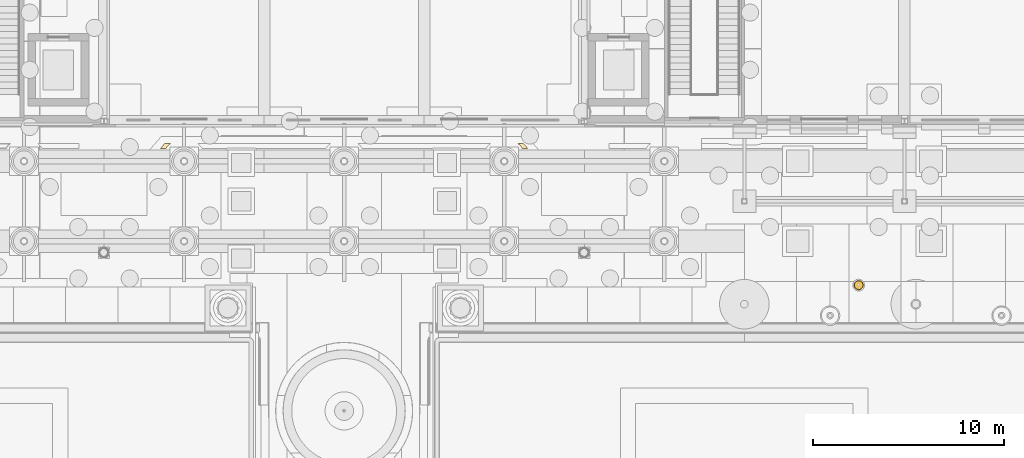
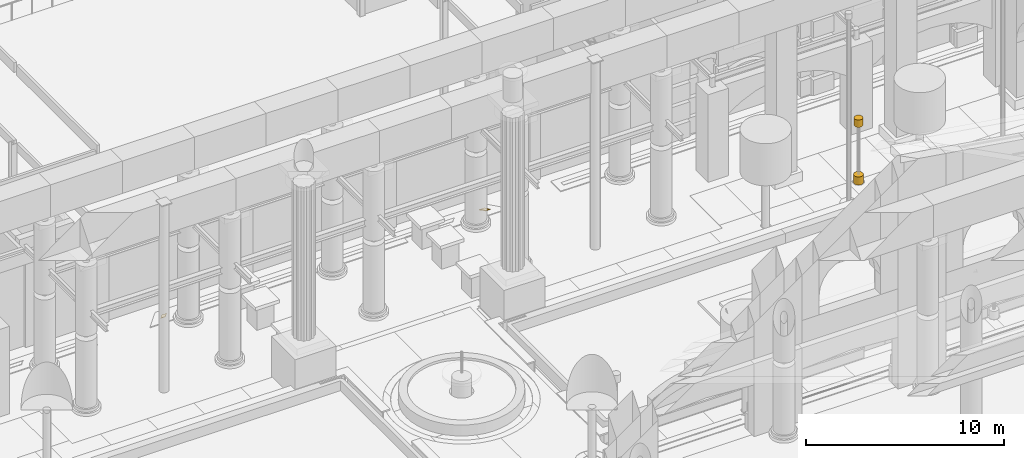
# One storey, part 207 of 222: 4 coverings.
"""IFC4 building model written with IfcOpenShell, lengths in metres."""

from ifc_helpers import new_model, si_unit, direction, frame, origin, origin_2d, place, context, subcontext, project, spatial, polyline, circle, outline, extrude, material, layer, layer_set, type_object, element, save


model = new_model("IFC4")

# Units and contexts
model_context = context("Model", 3, precision=1e-05, world=origin(), true_north=direction((0.0, 1.0)))
body_context = subcontext(model_context, "Body", "Model", "MODEL_VIEW")
ifc_project = project(units=[si_unit("LENGTHUNIT", "METRE"), si_unit("AREAUNIT", "SQUARE_METRE"), si_unit("VOLUMEUNIT", "CUBIC_METRE"), si_unit("PLANEANGLEUNIT", "RADIAN"), si_unit("MASSUNIT", "GRAM", prefix="KILO")], contexts=[model_context])

# Site, building, storey
site_placement = place(None, origin())
site = spatial("IfcSite", under=ifc_project, at=site_placement, CompositionType="ELEMENT")
building_placement = place(site_placement, origin())
building = spatial("IfcBuilding", under=site, at=building_placement, Name="Sava Quay Ferry Terminal", CompositionType="ELEMENT")
storey_placement = place(building_placement, origin())
storey = spatial("IfcBuildingStorey", under=building, at=storey_placement, Name="L00", CompositionType="ELEMENT", Elevation=0.0)

# Coverings
ifc_material_1 = material(Name="Basalt setts", Category="masonry")
ifc_layer_1 = layer(ifc_material_1, 0.02001953125)
ifc_layer_set_1 = layer_set([ifc_layer_1], Name="Basalt setts")
covering_type_1 = type_object("IfcCoveringType", Name="Basalt inlay line 20", PredefinedType="FLOORING", material=ifc_layer_set_1)
covering_1_placement = place(storey_placement, frame((0.0, 0.0, 0.050048828125)))
element("IfcCovering", 1, at=covering_1_placement, inside=storey, type_object=covering_type_1, Name="Basalt inlay line", PredefinedType="FLOORING", context=body_context, shape_type="SweptSolid", body=[
    extrude(outline(polyline([(53.803955078125, 23.962890625), (53.833984375, 23.988037109375), (53.8798828125, 24.02001953125), (53.576904296875, 24.02001953125), (53.366943359375, 23.780029296875), (53.656005859375, 23.780029296875), (53.677001953125, 23.81591796875), (53.7119140625, 23.865966796875), (53.757080078125, 23.91796875), (53.803955078125, 23.962890625)])), origin(), (0.0, 0.0, 1.0), 0.02001953125),
])
covering_2_placement = place(storey_placement, frame((0.0, 0.0, 0.050048828125)))
element("IfcCovering", 2, at=covering_2_placement, inside=storey, type_object=covering_type_1, Name="Basalt inlay line", PredefinedType="FLOORING", context=body_context, shape_type="SweptSolid", body=[
    extrude(outline(polyline([(72.2880859375, 23.865966796875), (72.322998046875, 23.81591796875), (72.343994140625, 23.780029296875), (72.633056640625, 23.780029296875), (72.423095703125, 24.02001953125), (72.1201171875, 24.02001953125), (72.166015625, 23.988037109375), (72.218017578125, 23.943115234375), (72.262939453125, 23.89599609375), (72.2880859375, 23.865966796875)])), origin(), (0.0, 0.0, 1.0), 0.02001953125),
])
ifc_material_2 = material(Name="Glass lantern", Category="glass")
ifc_layer_2 = layer(ifc_material_2, 0.449951171875)
ifc_layer_set_2 = layer_set([ifc_layer_2], Name="Glass lantern")
covering_type_2 = type_object("IfcCoveringType", Name="Lamp lantern 450", PredefinedType="CLADDING", material=ifc_layer_set_2)
covering_3_placement = place(storey_placement, frame((90.0, 16.60009765625, 4.0), z_axis=(0.0, 0.0, -1.0), x_axis=(1.0, 0.0, 0.0)))
element("IfcCovering", 3, at=covering_3_placement, inside=storey, type_object=covering_type_2, Name="Lamp lantern", PredefinedType="CLADDING", context=body_context, shape_type="SweptSolid", body=[
    extrude(circle(Radius=0.22509765625, at=origin_2d()), origin(), (0.0, 0.0, 1.0), 0.449951171875),
])
ifc_material_3 = material(Name="Steel S355", Category="steel")
ifc_layer_3 = layer(ifc_material_3, 0.5)
ifc_layer_set_3 = layer_set([ifc_layer_3], Name="Steel S355")
covering_type_3 = type_object("IfcCoveringType", Name="Lamp standard base 500", PredefinedType="MOLDING", material=ifc_layer_set_3)
covering_4_placement = place(storey_placement, frame((90.0, 16.60009765625, 0.5), z_axis=(0.0, 0.0, -1.0), x_axis=(1.0, 0.0, 0.0)))
element("IfcCovering", 4, at=covering_4_placement, inside=storey, type_object=covering_type_3, Name="Lamp standard base", PredefinedType="MOLDING", context=body_context, shape_type="SweptSolid", body=[
    extrude(circle(Radius=0.25, at=origin_2d()), origin(), (0.0, 0.0, 1.0), 0.5),
])

save(model, "model.ifc")
